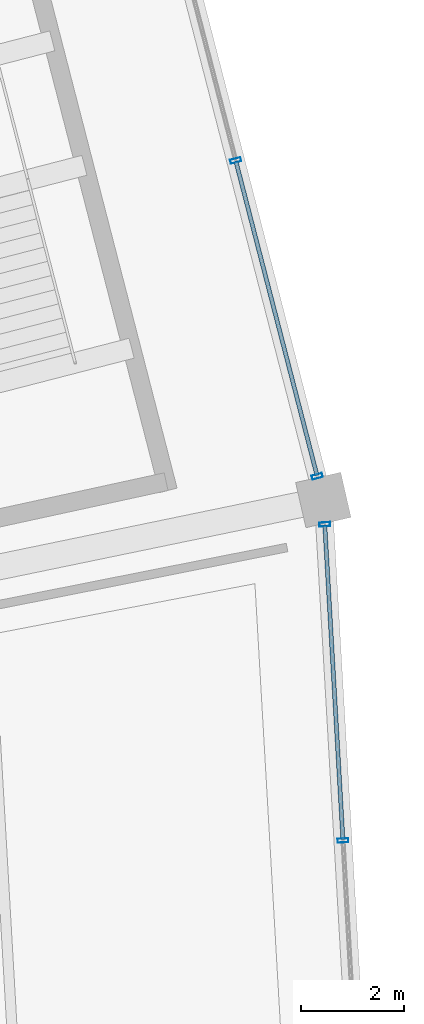
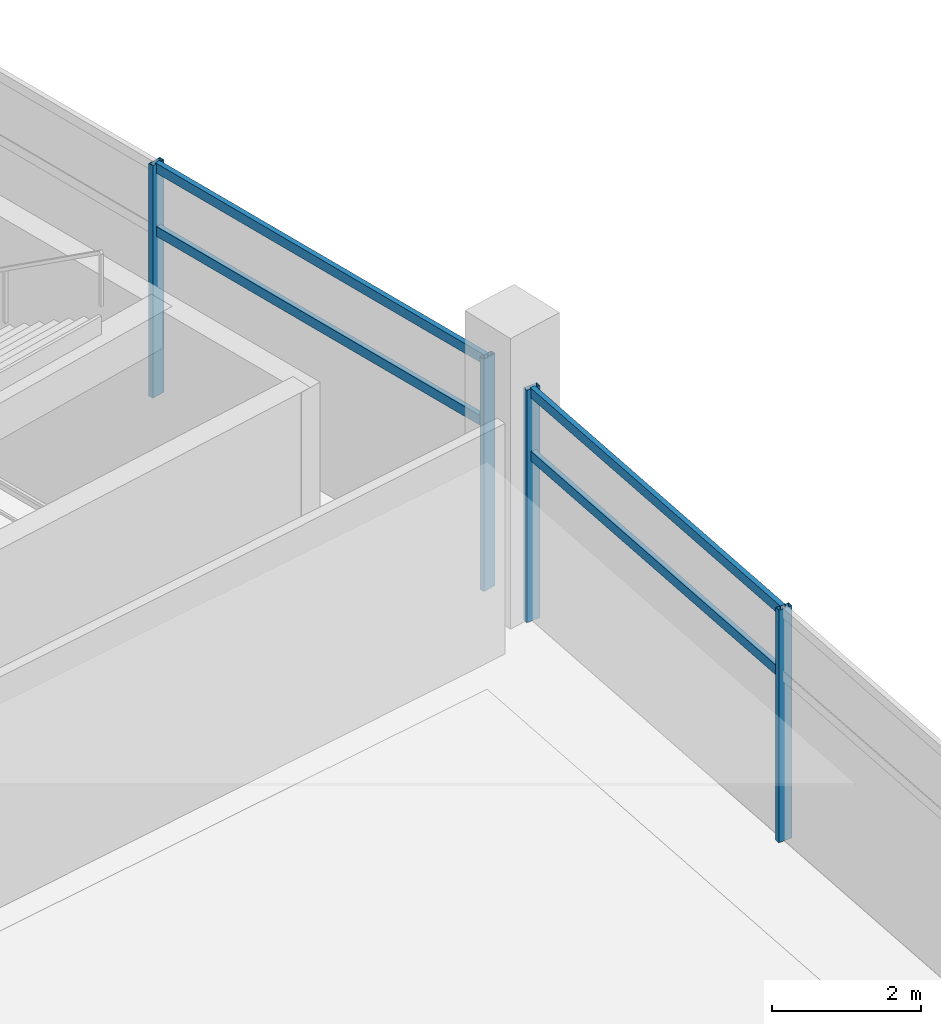
# One storey, part 74 of 171: 8 members, 2 elements without a shape of their own.
"""IFC4 building model written with IfcOpenShell, lengths in metres."""

from ifc_helpers import new_model, si_unit, direction, frame, origin, origin_2d, place, context, subcontext, project, spatial, hollow_rectangle, extrude, material, layer, layer_set, material_profile, profile_set, type_object, element, aggregate, save


model = new_model("IFC4")

# Units and contexts
model_context = context("Model", 3, precision=1e-05, world=origin(), true_north=direction((0.0, 1.0)))
body_context = subcontext(model_context, "Body", "Model", "MODEL_VIEW")
ifc_project = project(units=[si_unit("LENGTHUNIT", "METRE"), si_unit("AREAUNIT", "SQUARE_METRE"), si_unit("VOLUMEUNIT", "CUBIC_METRE"), si_unit("PLANEANGLEUNIT", "RADIAN"), si_unit("MASSUNIT", "GRAM", prefix="KILO")], contexts=[model_context])

# Site, building, storey
site_placement = place(None, origin())
site = spatial("IfcSite", under=ifc_project, at=site_placement, CompositionType="ELEMENT")
building_placement = place(site_placement, origin())
building = spatial("IfcBuilding", under=site, at=building_placement, Name="Kazemori Nagisa Stadium", CompositionType="ELEMENT")
storey_placement = place(building_placement, frame((0.0, 0.0, 15.639892578125)))
storey = spatial("IfcBuildingStorey", under=building, at=storey_placement, Name="L03", CompositionType="ELEMENT", Elevation=15.639892578125)

# Curtain wall, members
ifc_material_1 = material(Name="Anodised aluminium 6063-T5", Category="aluminium")
ifc_layer_1 = layer(ifc_material_1, 0.2099609375, Name="Anodised aluminium 6063-T5", Category="aluminium")
ifc_layer_set_1 = layer_set([ifc_layer_1], Name="Anodised aluminium 6063-T5")
curtain_wall_type_1 = type_object("IfcCurtainWallType", Name="CW_L03R3_93", PredefinedType="USERDEFINED", material=ifc_layer_set_1)
curtain_wall_1_placement = place(storey_placement, origin())
curtain_wall_1 = element("IfcCurtainWall", 1, at=curtain_wall_1_placement, inside=storey, type_object=curtain_wall_type_1, Name="Unitised curtain wall CW-L03R3-93 L03", ObjectType="UNITISED CURTAIN WALL", PredefinedType="USERDEFINED")
ifc_material_2 = material(Name="Aluminium 6063-T5 anodised", Category="aluminium")
ifc_material_profile_1 = material_profile(ifc_material_2, hollow_rectangle(XDim=0.080078125, YDim=0.2099609375, WallThickness=0.0048828125, at=origin_2d()), Name="ALU-MULL-80x210x5")
ifc_profile_set_1 = profile_set([ifc_material_profile_1], Name="Aluminium 6063-T5 anodised")
member_type_1 = type_object("IfcMemberType", Name="Mullion_M02", PredefinedType="MULLION", material=ifc_profile_set_1)
member_1_placement = place(storey_placement, frame((217.262939453125, 114.773681640625, 0.0), z_axis=(0.0, 0.0, 1.0), x_axis=(-0.057601670941, 0.998339645364, 0.0)))
member_1 = element("IfcMember", 2, at=member_1_placement, type_object=member_type_1, Name="Curtain wall mullion CW-L03R3-93-M3", PredefinedType="MULLION", context=body_context, shape_type="SweptSolid", body=[
    extrude(hollow_rectangle(XDim=0.080078125, YDim=0.2099609375, WallThickness=0.0048828125, at=origin_2d()), origin(), (0.0, 0.0, 1.0), 3.81005859375),
])
member_2_placement = place(storey_placement, frame((216.908203125, 120.923583984375, 0.0), z_axis=(0.0, 0.0, 1.0), x_axis=(-0.057601670941, 0.998339645364, 0.0)))
member_2 = element("IfcMember", 3, at=member_2_placement, type_object=member_type_1, Name="Curtain wall mullion CW-L03R3-93-M4", PredefinedType="MULLION", context=body_context, shape_type="SweptSolid", body=[
    extrude(hollow_rectangle(XDim=0.080078125, YDim=0.2099609375, WallThickness=0.0048828125, at=origin_2d()), origin(), (0.0, 0.0, 1.0), 3.81005859375),
])

ifc_layer_2 = layer(ifc_material_1, 0.2099609375, Name="Anodised aluminium 6063-T5", Category="aluminium")
ifc_layer_set_2 = layer_set([ifc_layer_2], Name="Anodised aluminium 6063-T5")
curtain_wall_type_2 = type_object("IfcCurtainWallType", Name="CW_L03R3_96", PredefinedType="USERDEFINED", material=ifc_layer_set_2)
curtain_wall_2_placement = place(storey_placement, origin())
curtain_wall_2 = element("IfcCurtainWall", 4, at=curtain_wall_2_placement, inside=storey, type_object=curtain_wall_type_2, Name="Unitised curtain wall CW-L03R3-96 L03", ObjectType="UNITISED CURTAIN WALL", PredefinedType="USERDEFINED")
member_3_placement = place(storey_placement, frame((216.761962890625, 121.857666015625, 0.0), z_axis=(0.0, 0.0, 1.0), x_axis=(-0.249964642418, 0.968254965152, 0.0)))
member_3 = element("IfcMember", 5, at=member_3_placement, type_object=member_type_1, Name="Curtain wall mullion CW-L03R3-96-M1", PredefinedType="MULLION", context=body_context, shape_type="SweptSolid", body=[
    extrude(hollow_rectangle(XDim=0.080078125, YDim=0.2099609375, WallThickness=0.0048828125, at=origin_2d()), origin(), (0.0, 0.0, 1.0), 3.81005859375),
])
member_4_placement = place(storey_placement, frame((215.176025390625, 128.001708984375, 0.0), z_axis=(0.0, 0.0, 1.0), x_axis=(-0.249964642418, 0.968254965152, 0.0)))
member_4 = element("IfcMember", 6, at=member_4_placement, type_object=member_type_1, Name="Curtain wall mullion CW-L03R3-96-M2", PredefinedType="MULLION", context=body_context, shape_type="SweptSolid", body=[
    extrude(hollow_rectangle(XDim=0.080078125, YDim=0.2099609375, WallThickness=0.0048828125, at=origin_2d()), origin(), (0.0, 0.0, 1.0), 3.81005859375),
])

# Member
ifc_material_profile_2 = material_profile(ifc_material_2, hollow_rectangle(XDim=0.080078125, YDim=0.159912109375, WallThickness=0.00390625, at=origin_2d()), Name="ALU-TRAN-80x160x4")
ifc_profile_set_2 = profile_set([ifc_material_profile_2], Name="Aluminium 6063-T5 anodised")
member_type_2 = type_object("IfcMemberType", Name="Transom_T02", PredefinedType="USERDEFINED", material=ifc_profile_set_2)
member_5_placement = place(storey_placement, frame((217.26171875, 114.793701171875, 2.705322265625), z_axis=(-0.057564421344, 0.998341793874, 0.0), x_axis=(-0.998341793874, -0.057564421344, 0.0)))
member_5 = element("IfcMember", 7, at=member_5_placement, type_object=member_type_2, Name="Curtain wall transom CW-L03R3-93-T3-mid", ObjectType="TRANSOM", PredefinedType="USERDEFINED", context=body_context, shape_type="SweptSolid", body=[
    extrude(hollow_rectangle(XDim=0.080078125, YDim=0.159912109375, WallThickness=0.00390625, at=origin_2d()), origin(), (0.0, 0.0, 1.0), 6.1201171875),
])

member_6_placement = place(storey_placement, frame((217.26171875, 114.793701171875, 3.739990234375), z_axis=(-0.057564421344, 0.998341793874, 0.0), x_axis=(-0.998341793874, -0.057564421344, 0.0)))
member_6 = element("IfcMember", 8, at=member_6_placement, type_object=member_type_2, Name="Curtain wall transom CW-L03R3-93-T3-head", ObjectType="TRANSOM", PredefinedType="USERDEFINED", context=body_context, shape_type="SweptSolid", body=[
    extrude(hollow_rectangle(XDim=0.080078125, YDim=0.159912109375, WallThickness=0.00390625, at=origin_2d()), origin(), (0.0, 0.0, 1.0), 6.1201171875),
])

aggregate(curtain_wall_1, [member_1, member_2, member_5, member_6])

member_7_placement = place(storey_placement, frame((216.757080078125, 121.876953125, 2.705322265625), z_axis=(-0.249971699633, 0.968253143234, 0.0), x_axis=(-0.968253143234, -0.249971699633, 0.0)))
member_7 = element("IfcMember", 9, at=member_7_placement, type_object=member_type_2, Name="Curtain wall transom CW-L03R3-96-T1-mid", ObjectType="TRANSOM", PredefinedType="USERDEFINED", context=body_context, shape_type="SweptSolid", body=[
    extrude(hollow_rectangle(XDim=0.080078125, YDim=0.159912109375, WallThickness=0.00390625, at=origin_2d()), origin(), (0.0, 0.0, 1.0), 6.305419921875),
])

member_8_placement = place(storey_placement, frame((216.757080078125, 121.876953125, 3.739990234375), z_axis=(-0.249971699633, 0.968253143234, 0.0), x_axis=(-0.968253143234, -0.249971699633, 0.0)))
member_8 = element("IfcMember", 10, at=member_8_placement, type_object=member_type_2, Name="Curtain wall transom CW-L03R3-96-T1-head", ObjectType="TRANSOM", PredefinedType="USERDEFINED", context=body_context, shape_type="SweptSolid", body=[
    extrude(hollow_rectangle(XDim=0.080078125, YDim=0.159912109375, WallThickness=0.00390625, at=origin_2d()), origin(), (0.0, 0.0, 1.0), 6.305419921875),
])

aggregate(curtain_wall_2, [member_3, member_4, member_7, member_8])

save(model, "model.ifc")
